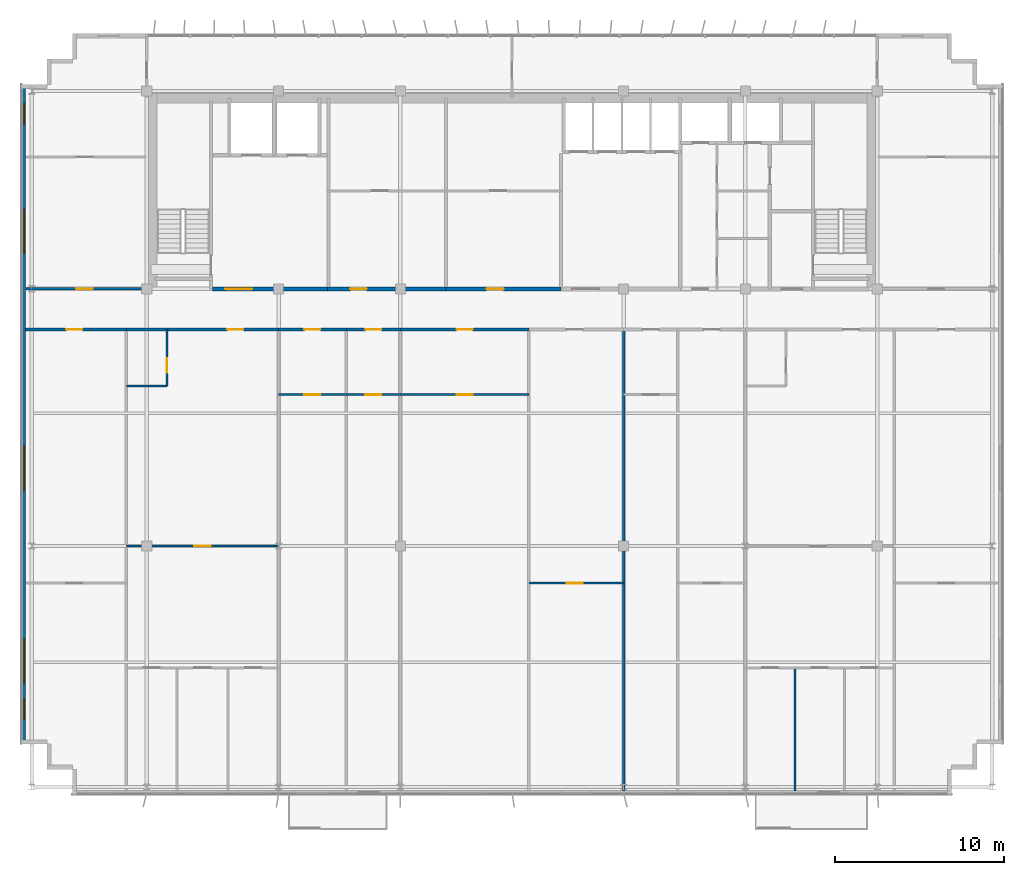
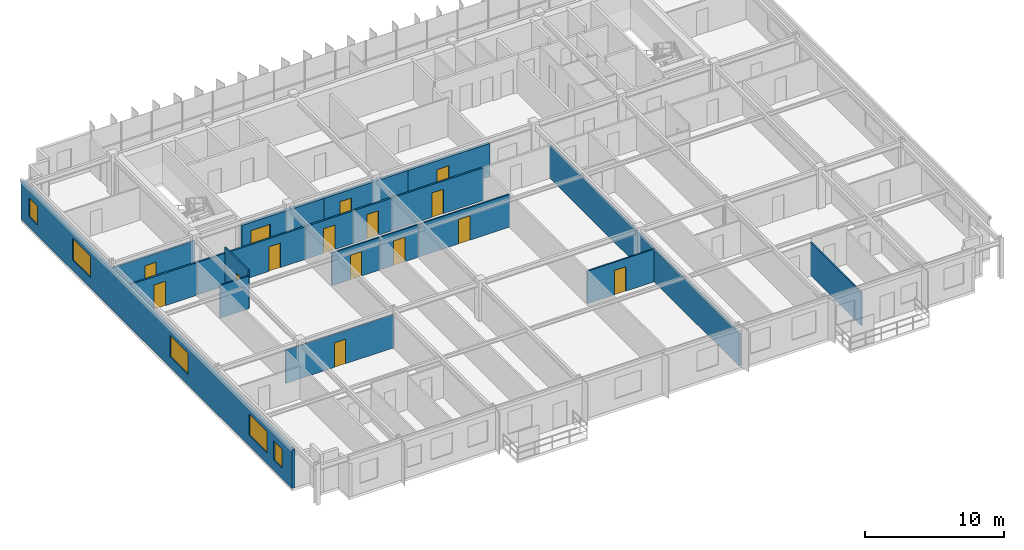
# One storey, part 17 of 22: 19 walls, 15 doors, 5 windows, 20 openings.
"""IFC4 building model written with IfcOpenShell, lengths in metres."""

from ifc_helpers import new_model, si_unit, direction, frame, frame_2d, origin, place, context, subcontext, project, spatial, rectangle, extrude, source, transform, mapped, material, layer, layer_set, type_object, element, fill, save


model = new_model("IFC4")

# Units and contexts
model_context = context("Model", 3, precision=1e-05, world=origin(), true_north=direction((0.0, 1.0)))
body_context = subcontext(model_context, "Body", "Model", "MODEL_VIEW")
ifc_project = project(units=[si_unit("LENGTHUNIT", "METRE"), si_unit("AREAUNIT", "SQUARE_METRE"), si_unit("VOLUMEUNIT", "CUBIC_METRE"), si_unit("PLANEANGLEUNIT", "RADIAN"), si_unit("MASSUNIT", "GRAM", prefix="KILO")], contexts=[model_context])

# Site, building, storey
site_placement = place(None, origin())
site = spatial("IfcSite", under=ifc_project, at=site_placement, CompositionType="ELEMENT")
building_placement = place(site_placement, origin())
building = spatial("IfcBuilding", under=site, at=building_placement, Name="Trelvane Seafront Commons", CompositionType="ELEMENT")
storey_placement = place(building_placement, frame((0.0, 0.0, 284.699951171875)))
storey = spatial("IfcBuildingStorey", under=building, at=storey_placement, Name="L74", CompositionType="ELEMENT", Elevation=284.699951171875)

# Wall, openings, windows
ifc_material_1 = material(Name="Precast concrete C40/50", Category="concrete")
ifc_layer_1 = layer(ifc_material_1, 0.239990234375, Name="ARCH-WALL-EXT240")
ifc_layer_set_1 = layer_set([ifc_layer_1], Name="Precast concrete C40/50")
wall_type_1 = type_object("IfcWallType", Name="ARCH-WALL-EXT240", PredefinedType="SOLIDWALL", material=ifc_layer_set_1)
wall_1_placement = place(storey_placement, frame((8.320068359375, 6.5, 0.0), z_axis=(0.0, 0.0, 1.0), x_axis=(0.0, 1.0, 0.0)))
wall_1 = element("IfcWall", 1, at=wall_1_placement, inside=storey, type_object=wall_type_1, Name="EW-L74-01492", PredefinedType="SOLIDWALL", context=body_context, shape_type="SweptSolid", body=[
    extrude(rectangle(XDim=39.0, YDim=0.239990234375, at=frame_2d((19.5, 0.0))), origin(), (0.0, 0.0, 1.0), 3.3701171875),
])
opening_1_placement = place(wall_1_placement, frame((1.449951171875, 0.0, 0.919921875)))
opening_1 = element("IfcOpeningElement", 2, at=opening_1_placement, cuts=wall_1, Name="Opening W05", PredefinedType="OPENING", context=body_context, shape_type="SweptSolid", body=[
    extrude(rectangle(XDim=1.199951171875, YDim=1.64990234375, at=frame_2d((0.60009765625, 0.824951171875))), frame((0.0, 0.1298828125, 0.0), z_axis=(0.0, -1.0, 0.0), x_axis=(1.0, 0.0, 0.0)), (0.0, 0.0, 1.0), 0.260009765625),
])
opening_2_placement = place(wall_1_placement, frame((3.60009765625, 0.0, 0.919921875)))
opening_2 = element("IfcOpeningElement", 3, at=opening_2_placement, cuts=wall_1, Name="Opening W04", PredefinedType="OPENING", context=body_context, shape_type="SweptSolid", body=[
    extrude(rectangle(XDim=2.60009765625, YDim=1.89990234375, at=frame_2d((1.300048828125, 0.949951171875))), frame((0.0, 0.1298828125, 0.0), z_axis=(0.0, -1.0, 0.0), x_axis=(1.0, 0.0, 0.0)), (0.0, 0.0, 1.0), 0.260009765625),
])
opening_3_placement = place(wall_1_placement, frame((15.0, 0.0, 0.919921875)))
opening_3 = element("IfcOpeningElement", 4, at=opening_3_placement, cuts=wall_1, Name="Opening W04", PredefinedType="OPENING", context=body_context, shape_type="SweptSolid", body=[
    extrude(rectangle(XDim=2.60009765625, YDim=1.89990234375, at=frame_2d((1.300048828125, 0.949951171875))), frame((0.0, 0.1298828125, 0.0), z_axis=(0.0, -1.0, 0.0), x_axis=(1.0, 0.0, 0.0)), (0.0, 0.0, 1.0), 0.260009765625),
])
opening_4_placement = place(wall_1_placement, frame((29.0, 0.0, 0.919921875)))
opening_4 = element("IfcOpeningElement", 5, at=opening_4_placement, cuts=wall_1, Name="Opening W04", PredefinedType="OPENING", context=body_context, shape_type="SweptSolid", body=[
    extrude(rectangle(XDim=2.60009765625, YDim=1.89990234375, at=frame_2d((1.300048828125, 0.949951171875))), frame((0.0, 0.1298828125, 0.0), z_axis=(0.0, -1.0, 0.0), x_axis=(1.0, 0.0, 0.0)), (0.0, 0.0, 1.0), 0.260009765625),
])
opening_5_placement = place(wall_1_placement, frame((36.64990234375, 0.0, 0.919921875)))
opening_5 = element("IfcOpeningElement", 6, at=opening_5_placement, cuts=wall_1, Name="Opening W05", PredefinedType="OPENING", context=body_context, shape_type="SweptSolid", body=[
    extrude(rectangle(XDim=1.199951171875, YDim=1.64990234375, at=frame_2d((0.60009765625, 0.824951171875))), frame((0.0, 0.1298828125, 0.0), z_axis=(0.0, -1.0, 0.0), x_axis=(1.0, 0.0, 0.0)), (0.0, 0.0, 1.0), 0.260009765625),
])
ifc_material_2 = material(Name="Low-E coastal double glazing", Category="glass")
window_type_1 = type_object("IfcWindowType", Name="ARCH-WIN-W04", PartitioningType="SINGLE_PANEL", PredefinedType="WINDOW", material=ifc_material_2)
shared_shape_1 = source(origin(), body_context, "Body", "SweptSolid", [
    extrude(rectangle(XDim=2.60009765625, YDim=1.89990234375, at=frame_2d((1.300048828125, 0.949951171875))), frame((0.0, 0.030029296875, 0.0), z_axis=(0.0, -1.0, 0.0), x_axis=(1.0, 0.0, 0.0)), (0.0, 0.0, 1.0), 0.06005859375),
])
window_1_placement = place(opening_2_placement, origin())
window_1 = element("IfcWindow", 7, at=window_1_placement, inside=storey, type_object=window_type_1, Name="WIN-L74-EW-01774", OverallHeight=1.89990234375, OverallWidth=2.60009765625, PartitioningType="SINGLE_PANEL", PredefinedType="WINDOW", context=body_context, shape_type="MappedRepresentation", body=[
    mapped(shared_shape_1, transform((0.0, 0.0, 0.0), x_axis=(1.0, 0.0, 0.0), y_axis=(0.0, 1.0, 0.0), z_axis=(0.0, 0.0, 1.0), scale=1.0)),
])
fill(opening_2, window_1)
window_2_placement = place(opening_3_placement, origin())
window_2 = element("IfcWindow", 8, at=window_2_placement, inside=storey, type_object=window_type_1, Name="WIN-L74-EW-01775", OverallHeight=1.89990234375, OverallWidth=2.60009765625, PartitioningType="SINGLE_PANEL", PredefinedType="WINDOW", context=body_context, shape_type="MappedRepresentation", body=[
    mapped(shared_shape_1, transform((0.0, 0.0, 0.0), x_axis=(1.0, 0.0, 0.0), y_axis=(0.0, 1.0, 0.0), z_axis=(0.0, 0.0, 1.0), scale=1.0)),
])
fill(opening_3, window_2)
window_3_placement = place(opening_4_placement, origin())
window_3 = element("IfcWindow", 9, at=window_3_placement, inside=storey, type_object=window_type_1, Name="WIN-L74-EW-01776", OverallHeight=1.89990234375, OverallWidth=2.60009765625, PartitioningType="SINGLE_PANEL", PredefinedType="WINDOW", context=body_context, shape_type="MappedRepresentation", body=[
    mapped(shared_shape_1, transform((0.0, 0.0, 0.0), x_axis=(1.0, 0.0, 0.0), y_axis=(0.0, 1.0, 0.0), z_axis=(0.0, 0.0, 1.0), scale=1.0)),
])
fill(opening_4, window_3)
window_type_2 = type_object("IfcWindowType", Name="ARCH-WIN-W05", PartitioningType="SINGLE_PANEL", PredefinedType="WINDOW", material=ifc_material_2)
shared_shape_2 = source(origin(), body_context, "Body", "SweptSolid", [
    extrude(rectangle(XDim=1.199951171875, YDim=1.64990234375, at=frame_2d((0.60009765625, 0.824951171875))), frame((0.0, 0.030029296875, 0.0), z_axis=(0.0, -1.0, 0.0), x_axis=(1.0, 0.0, 0.0)), (0.0, 0.0, 1.0), 0.06005859375),
])
window_4_placement = place(opening_1_placement, origin())
window_4 = element("IfcWindow", 10, at=window_4_placement, inside=storey, type_object=window_type_2, Name="WIN-L74-EW-01773", OverallHeight=1.64990234375, OverallWidth=1.199951171875, PartitioningType="SINGLE_PANEL", PredefinedType="WINDOW", context=body_context, shape_type="MappedRepresentation", body=[
    mapped(shared_shape_2, transform((0.0, 0.0, 0.0), x_axis=(1.0, 0.0, 0.0), y_axis=(0.0, 1.0, 0.0), z_axis=(0.0, 0.0, 1.0), scale=1.0)),
])
fill(opening_1, window_4)
window_5_placement = place(opening_5_placement, origin())
window_5 = element("IfcWindow", 11, at=window_5_placement, inside=storey, type_object=window_type_2, Name="WIN-L74-EW-01777", OverallHeight=1.64990234375, OverallWidth=1.199951171875, PartitioningType="SINGLE_PANEL", PredefinedType="WINDOW", context=body_context, shape_type="MappedRepresentation", body=[
    mapped(shared_shape_2, transform((0.0, 0.0, 0.0), x_axis=(1.0, 0.0, 0.0), y_axis=(0.0, 1.0, 0.0), z_axis=(0.0, 0.0, 1.0), scale=1.0)),
])
fill(opening_5, window_5)

# Wall, opening, door
ifc_material_3 = material(Name="Concrete C40/50", Category="concrete")
ifc_layer_2 = layer(ifc_material_3, 0.25, Name="ARCH-WALL-FIRE250")
ifc_layer_set_2 = layer_set([ifc_layer_2], Name="Concrete C40/50")
wall_type_2 = type_object("IfcWallType", Name="ARCH-WALL-FIRE250", PredefinedType="PARTITIONING", material=ifc_layer_set_2)
wall_2_placement = place(storey_placement, frame((19.5, 33.39990234375, 0.0), z_axis=(0.0, 0.0, 1.0), x_axis=(1.0, 0.0, 0.0)))
wall_2 = element("IfcWall", 12, at=wall_2_placement, inside=storey, type_object=wall_type_2, Name="W-L74-CS-FFL-013", PredefinedType="PARTITIONING", context=body_context, shape_type="SweptSolid", body=[
    extrude(rectangle(XDim=6.800048828125, YDim=0.25, at=frame_2d((3.39990234375, 0.0))), origin(), (0.0, 0.0, 1.0), 2.920166015625),
])
opening_6_placement = place(wall_2_placement, frame((0.75, 0.0, 0.0)))
opening_6 = element("IfcOpeningElement", 13, at=opening_6_placement, cuts=wall_2, Name="Opening FD-L74-05", PredefinedType="OPENING", context=body_context, shape_type="SweptSolid", body=[
    extrude(rectangle(XDim=1.60009765625, YDim=2.199951171875, at=frame_2d((0.800048828125, 1.10009765625))), frame((0.0, 0.135009765625, 0.0), z_axis=(0.0, -1.0, 0.0), x_axis=(1.0, 0.0, 0.0)), (0.0, 0.0, 1.0), 0.27001953125),
])
ifc_material_4 = material(Name="Powder-coated aluminium frame", Category="aluminium")
door_type_1 = type_object("IfcDoorType", Name="ARCH-DR-FD60-1600", OperationType="DOUBLE_DOOR_SINGLE_SWING", PredefinedType="DOOR", material=ifc_material_4)
shared_shape_3 = source(origin(), body_context, "Body", "SweptSolid", [
    extrude(rectangle(XDim=1.60009765625, YDim=2.199951171875, at=frame_2d((0.800048828125, 1.10009765625))), frame((0.0, 0.02490234375, 0.0), z_axis=(0.0, -1.0, 0.0), x_axis=(1.0, 0.0, 0.0)), (0.0, 0.0, 1.0), 0.050048828125),
])
door_1_placement = place(opening_6_placement, origin())
door_1 = element("IfcDoor", 14, at=door_1_placement, inside=storey, type_object=door_type_1, Name="L74 Firefighting Lift Lobby Double Fire Door", OperationType="DOUBLE_DOOR_SINGLE_SWING", OverallHeight=2.199951171875, OverallWidth=1.60009765625, PredefinedType="DOOR", context=body_context, shape_type="MappedRepresentation", body=[
    mapped(shared_shape_3, transform((0.0, 0.0, 0.0), x_axis=(1.0, 0.0, 0.0), y_axis=(0.0, 1.0, 0.0), z_axis=(0.0, 0.0, 1.0), scale=1.0)),
])
fill(opening_6, door_1)

wall_3_placement = place(storey_placement, frame((26.300048828125, 33.39990234375, 0.0), z_axis=(0.0, 0.0, 1.0), x_axis=(1.0, 0.0, 0.0)))
wall_3 = element("IfcWall", 15, at=wall_3_placement, inside=storey, type_object=wall_type_2, Name="W-L74-CS-FPL-024", PredefinedType="PARTITIONING", context=body_context, shape_type="SweptSolid", body=[
    extrude(rectangle(XDim=7.0, YDim=0.25, at=frame_2d((3.5, 0.0))), origin(), (0.0, 0.0, 1.0), 2.920166015625),
])
opening_7_placement = place(wall_3_placement, frame((1.35009765625, 0.0, 0.0)))
opening_7 = element("IfcOpeningElement", 16, at=opening_7_placement, cuts=wall_3, Name="Opening D-L74-12", PredefinedType="OPENING", context=body_context, shape_type="SweptSolid", body=[
    extrude(rectangle(XDim=0.949951171875, YDim=2.14990234375, at=frame_2d((0.47509765625, 1.074951171875))), frame((0.0, 0.135009765625, 0.0), z_axis=(0.0, -1.0, 0.0), x_axis=(1.0, 0.0, 0.0)), (0.0, 0.0, 1.0), 0.27001953125),
])
ifc_material_5 = material(Name="Acoustic timber door leaf", Category="wood")
door_type_2 = type_object("IfcDoorType", Name="ARCH-DR-INT950", OperationType="NOTDEFINED", PredefinedType="DOOR", material=ifc_material_5)
shared_shape_4 = source(origin(), body_context, "Body", "SweptSolid", [
    extrude(rectangle(XDim=0.949951171875, YDim=2.14990234375, at=frame_2d((0.47509765625, 1.074951171875))), frame((0.0, 0.02490234375, 0.0), z_axis=(0.0, -1.0, 0.0), x_axis=(1.0, 0.0, 0.0)), (0.0, 0.0, 1.0), 0.050048828125),
])
door_2_placement = place(opening_7_placement, origin())
door_2 = element("IfcDoor", 17, at=door_2_placement, inside=storey, type_object=door_type_2, Name="L74 Floor Pantry Entrance Door", OperationType="SINGLE_SWING_RIGHT", OverallHeight=2.14990234375, OverallWidth=0.949951171875, PredefinedType="DOOR", context=body_context, shape_type="MappedRepresentation", body=[
    mapped(shared_shape_4, transform((0.0, 0.0, 0.0), x_axis=(1.0, 0.0, 0.0), y_axis=(0.0, 1.0, 0.0), z_axis=(0.0, 0.0, 1.0), scale=1.0)),
])
fill(opening_7, door_2)

wall_4_placement = place(storey_placement, frame((33.300048828125, 33.39990234375, 0.0), z_axis=(0.0, 0.0, 1.0), x_axis=(1.0, 0.0, 0.0)))
wall_4 = element("IfcWall", 18, at=wall_4_placement, inside=storey, type_object=wall_type_2, Name="W-L74-CS-FPM-025", PredefinedType="PARTITIONING", context=body_context, shape_type="SweptSolid", body=[
    extrude(rectangle(XDim=6.800048828125, YDim=0.25, at=frame_2d((3.39990234375, 0.0))), origin(), (0.0, 0.0, 1.0), 2.920166015625),
])
opening_8_placement = place(wall_4_placement, frame((2.39990234375, 0.0, 0.0)))
opening_8 = element("IfcOpeningElement", 19, at=opening_8_placement, cuts=wall_4, Name="Opening FD-L74-13", PredefinedType="OPENING", context=body_context, shape_type="SweptSolid", body=[
    extrude(rectangle(XDim=1.0, YDim=2.14990234375, at=frame_2d((0.5, 1.074951171875))), frame((0.0, 0.135009765625, 0.0), z_axis=(0.0, -1.0, 0.0), x_axis=(1.0, 0.0, 0.0)), (0.0, 0.0, 1.0), 0.27001953125),
])
door_type_3 = type_object("IfcDoorType", Name="ARCH-DR-FD60-1000", OperationType="NOTDEFINED", PredefinedType="DOOR", material=ifc_material_4)
shared_shape_5 = source(origin(), body_context, "Body", "SweptSolid", [
    extrude(rectangle(XDim=1.0, YDim=2.14990234375, at=frame_2d((0.5, 1.074951171875))), frame((0.0, 0.02490234375, 0.0), z_axis=(0.0, -1.0, 0.0), x_axis=(1.0, 0.0, 0.0)), (0.0, 0.0, 1.0), 0.050048828125),
])
door_3_placement = place(opening_8_placement, origin())
door_3 = element("IfcDoor", 20, at=door_3_placement, inside=storey, type_object=door_type_3, Name="L74 Trunk Storage Door", OperationType="SINGLE_SWING_LEFT", OverallHeight=2.14990234375, OverallWidth=1.0, PredefinedType="DOOR", context=body_context, shape_type="MappedRepresentation", body=[
    mapped(shared_shape_5, transform((0.0, 0.0, 0.0), x_axis=(1.0, 0.0, 0.0), y_axis=(0.0, 1.0, 0.0), z_axis=(0.0, 0.0, 1.0), scale=1.0)),
])
fill(opening_8, door_3)

ifc_material_6 = material(Name="Gypsum Drywall Acoustic Partition")
ifc_layer_3 = layer(ifc_material_6, 0.1201171875, Name="ARCH-WALL-PART120")
ifc_layer_set_3 = layer_set([ifc_layer_3], Name="Gypsum Drywall Acoustic Partition")
wall_type_3 = type_object("IfcWallType", Name="ARCH-WALL-PART120", PredefinedType="PARTITIONING", material=ifc_layer_set_3)
wall_5_placement = place(storey_placement, frame((14.39990234375, 18.199951171875, 0.0), z_axis=(0.0, 0.0, 1.0), x_axis=(1.0, 0.0, 0.0)))
wall_5 = element("IfcWall", 21, at=wall_5_placement, inside=storey, type_object=wall_type_3, Name="W-L74-U2-KL-054", PredefinedType="PARTITIONING", context=body_context, shape_type="SweptSolid", body=[
    extrude(rectangle(XDim=9.0, YDim=0.1201171875, at=frame_2d((4.5, 0.0))), origin(), (0.0, 0.0, 1.0), 2.920166015625),
])
opening_9_placement = place(wall_5_placement, frame((4.02490234375, 0.0, 0.0)))
opening_9 = element("IfcOpeningElement", 22, at=opening_9_placement, cuts=wall_5, Name="Opening D-L74-32", PredefinedType="OPENING", context=body_context, shape_type="SweptSolid", body=[
    extrude(rectangle(XDim=0.949951171875, YDim=2.14990234375, at=frame_2d((0.47509765625, 1.074951171875))), frame((0.0, 0.070068359375, 0.0), z_axis=(0.0, -1.0, 0.0), x_axis=(1.0, 0.0, 0.0)), (0.0, 0.0, 1.0), 0.14013671875),
])
door_4_placement = place(opening_9_placement, origin())
door_4 = element("IfcDoor", 23, at=door_4_placement, inside=storey, type_object=door_type_2, Name="L74 Door 32", OperationType="SINGLE_SWING_RIGHT", OverallHeight=2.14990234375, OverallWidth=0.949951171875, PredefinedType="DOOR", context=body_context, shape_type="MappedRepresentation", body=[
    mapped(shared_shape_4, transform((0.0, 0.0, 0.0), x_axis=(1.0, 0.0, 0.0), y_axis=(0.0, 1.0, 0.0), z_axis=(0.0, 0.0, 1.0), scale=1.0)),
])
fill(opening_9, door_4)

wall_6_placement = place(storey_placement, frame((16.800048828125, 27.64990234375, 0.0), z_axis=(0.0, 0.0, 1.0), x_axis=(0.0, 1.0, 0.0)))
wall_6 = element("IfcWall", 24, at=wall_6_placement, inside=storey, type_object=wall_type_3, Name="W-L74-U2-BE-055", PredefinedType="PARTITIONING", context=body_context, shape_type="SweptSolid", body=[
    extrude(rectangle(XDim=3.35009765625, YDim=0.1201171875, at=frame_2d((1.675048828125, 0.0))), origin(), (0.0, 0.0, 1.0), 3.3701171875),
])
opening_10_placement = place(wall_6_placement, frame((0.800048828125, 0.0, 0.0)))
opening_10 = element("IfcOpeningElement", 25, at=opening_10_placement, cuts=wall_6, Name="Opening D-L74-33", PredefinedType="OPENING", context=body_context, shape_type="SweptSolid", body=[
    extrude(rectangle(XDim=0.85009765625, YDim=2.10009765625, at=frame_2d((0.425048828125, 1.050048828125))), frame((0.0, 0.070068359375, 0.0), z_axis=(0.0, -1.0, 0.0), x_axis=(1.0, 0.0, 0.0)), (0.0, 0.0, 1.0), 0.14013671875),
])
door_type_4 = type_object("IfcDoorType", Name="ARCH-DR-INT850", OperationType="NOTDEFINED", PredefinedType="DOOR", material=ifc_material_5)
shared_shape_6 = source(origin(), body_context, "Body", "SweptSolid", [
    extrude(rectangle(XDim=0.85009765625, YDim=2.10009765625, at=frame_2d((0.425048828125, 1.050048828125))), frame((0.0, 0.02490234375, 0.0), z_axis=(0.0, -1.0, 0.0), x_axis=(1.0, 0.0, 0.0)), (0.0, 0.0, 1.0), 0.050048828125),
])
door_5_placement = place(opening_10_placement, origin())
door_5 = element("IfcDoor", 26, at=door_5_placement, inside=storey, type_object=door_type_4, Name="L74 Door 33", OperationType="SINGLE_SWING_LEFT", OverallHeight=2.10009765625, OverallWidth=0.85009765625, PredefinedType="DOOR", context=body_context, shape_type="MappedRepresentation", body=[
    mapped(shared_shape_6, transform((0.0, 0.0, 0.0), x_axis=(1.0, 0.0, 0.0), y_axis=(0.0, 1.0, 0.0), z_axis=(0.0, 0.0, 1.0), scale=1.0)),
])
fill(opening_10, door_5)

# Wall
wall_7_placement = place(storey_placement, frame((14.39990234375, 27.64990234375, 0.0), z_axis=(0.0, 0.0, 1.0), x_axis=(1.0, 0.0, 0.0)))
element("IfcWall", 27, at=wall_7_placement, inside=storey, type_object=wall_type_3, Name="W-L74-U2-BS-056", PredefinedType="PARTITIONING", context=body_context, shape_type="SweptSolid", body=[
    extrude(rectangle(XDim=2.400146484375, YDim=0.1201171875, at=frame_2d((1.2001953125, 0.0))), origin(), (0.0, 0.0, 1.0), 2.8701171875),
])

# Wall, opening, door
wall_8_placement = place(storey_placement, frame((23.39990234375, 27.14990234375, 0.0), z_axis=(0.0, 0.0, 1.0), x_axis=(1.0, 0.0, 0.0)))
wall_8 = element("IfcWall", 28, at=wall_8_placement, inside=storey, type_object=wall_type_3, Name="W-L74-U3-DIV-064", PredefinedType="PARTITIONING", context=body_context, shape_type="SweptSolid", body=[
    extrude(rectangle(XDim=4.0, YDim=0.1201171875, at=frame_2d((2.0, 0.0))), origin(), (0.0, 0.0, 1.0), 2.8701171875),
])
opening_11_placement = place(wall_8_placement, frame((1.52490234375, 0.0, 0.0)))
opening_11 = element("IfcOpeningElement", 29, at=opening_11_placement, cuts=wall_8, Name="Opening D-L74-39", PredefinedType="OPENING", context=body_context, shape_type="SweptSolid", body=[
    extrude(rectangle(XDim=0.949951171875, YDim=2.14990234375, at=frame_2d((0.47509765625, 1.074951171875))), frame((0.0, 0.070068359375, 0.0), z_axis=(0.0, -1.0, 0.0), x_axis=(1.0, 0.0, 0.0)), (0.0, 0.0, 1.0), 0.14013671875),
])
door_6_placement = place(opening_11_placement, origin())
door_6 = element("IfcDoor", 30, at=door_6_placement, inside=storey, type_object=door_type_2, Name="L74 Door 39", OperationType="SINGLE_SWING_LEFT", OverallHeight=2.14990234375, OverallWidth=0.949951171875, PredefinedType="DOOR", context=body_context, shape_type="MappedRepresentation", body=[
    mapped(shared_shape_4, transform((0.0, 0.0, 0.0), x_axis=(1.0, 0.0, 0.0), y_axis=(0.0, 1.0, 0.0), z_axis=(0.0, 0.0, 1.0), scale=1.0)),
])
fill(opening_11, door_6)

wall_9_placement = place(storey_placement, frame((27.39990234375, 27.14990234375, 0.0), z_axis=(0.0, 0.0, 1.0), x_axis=(1.0, 0.0, 0.0)))
wall_9 = element("IfcWall", 31, at=wall_9_placement, inside=storey, type_object=wall_type_3, Name="W-L74-U4-DIV-066", PredefinedType="PARTITIONING", context=body_context, shape_type="SweptSolid", body=[
    extrude(rectangle(XDim=3.2001953125, YDim=0.1201171875, at=frame_2d((1.60009765625, 0.0))), origin(), (0.0, 0.0, 1.0), 2.8701171875),
])
opening_12_placement = place(wall_9_placement, frame((1.125, 0.0, 0.0)))
opening_12 = element("IfcOpeningElement", 32, at=opening_12_placement, cuts=wall_9, Name="Opening D-L74-41", PredefinedType="OPENING", context=body_context, shape_type="SweptSolid", body=[
    extrude(rectangle(XDim=0.949951171875, YDim=2.14990234375, at=frame_2d((0.47509765625, 1.074951171875))), frame((0.0, 0.070068359375, 0.0), z_axis=(0.0, -1.0, 0.0), x_axis=(1.0, 0.0, 0.0)), (0.0, 0.0, 1.0), 0.14013671875),
])
door_7_placement = place(opening_12_placement, origin())
door_7 = element("IfcDoor", 33, at=door_7_placement, inside=storey, type_object=door_type_2, Name="L74 Door 41", OperationType="SINGLE_SWING_LEFT", OverallHeight=2.14990234375, OverallWidth=0.949951171875, PredefinedType="DOOR", context=body_context, shape_type="MappedRepresentation", body=[
    mapped(shared_shape_4, transform((0.0, 0.0, 0.0), x_axis=(1.0, 0.0, 0.0), y_axis=(0.0, 1.0, 0.0), z_axis=(0.0, 0.0, 1.0), scale=1.0)),
])
fill(opening_12, door_7)

wall_10_placement = place(storey_placement, frame((30.60009765625, 27.14990234375, 0.0), z_axis=(0.0, 0.0, 1.0), x_axis=(1.0, 0.0, 0.0)))
wall_10 = element("IfcWall", 34, at=wall_10_placement, inside=storey, type_object=wall_type_3, Name="W-L74-U5-DIV-068", PredefinedType="PARTITIONING", context=body_context, shape_type="SweptSolid", body=[
    extrude(rectangle(XDim=7.599853515625, YDim=0.1201171875, at=frame_2d((3.7998046875, 0.0))), origin(), (0.0, 0.0, 1.0), 2.8701171875),
])
opening_13_placement = place(wall_10_placement, frame((3.324951171875, 0.0, 0.0)))
opening_13 = element("IfcOpeningElement", 35, at=opening_13_placement, cuts=wall_10, Name="Opening D-L74-43", PredefinedType="OPENING", context=body_context, shape_type="SweptSolid", body=[
    extrude(rectangle(XDim=0.949951171875, YDim=2.14990234375, at=frame_2d((0.47509765625, 1.074951171875))), frame((0.0, 0.070068359375, 0.0), z_axis=(0.0, -1.0, 0.0), x_axis=(1.0, 0.0, 0.0)), (0.0, 0.0, 1.0), 0.14013671875),
])
door_8_placement = place(opening_13_placement, origin())
door_8 = element("IfcDoor", 36, at=door_8_placement, inside=storey, type_object=door_type_2, Name="L74 Door 43", OperationType="SINGLE_SWING_LEFT", OverallHeight=2.14990234375, OverallWidth=0.949951171875, PredefinedType="DOOR", context=body_context, shape_type="MappedRepresentation", body=[
    mapped(shared_shape_4, transform((0.0, 0.0, 0.0), x_axis=(1.0, 0.0, 0.0), y_axis=(0.0, 1.0, 0.0), z_axis=(0.0, 0.0, 1.0), scale=1.0)),
])
fill(opening_13, door_8)

wall_11_placement = place(storey_placement, frame((38.199951171875, 16.0, 0.0), z_axis=(0.0, 0.0, 1.0), x_axis=(1.0, 0.0, 0.0)))
wall_11 = element("IfcWall", 37, at=wall_11_placement, inside=storey, type_object=wall_type_3, Name="W-L74-U6-DIV-070", PredefinedType="PARTITIONING", context=body_context, shape_type="SweptSolid", body=[
    extrude(rectangle(XDim=5.60009765625, YDim=0.1201171875, at=frame_2d((2.800048828125, 0.0))), origin(), (0.0, 0.0, 1.0), 2.8701171875),
])
opening_14_placement = place(wall_11_placement, frame((2.23193359375, 0.0, 0.0)))
opening_14 = element("IfcOpeningElement", 38, at=opening_14_placement, cuts=wall_11, Name="Opening D-L74-45", PredefinedType="OPENING", context=body_context, shape_type="SweptSolid", body=[
    extrude(rectangle(XDim=0.949951171875, YDim=2.14990234375, at=frame_2d((0.47509765625, 1.074951171875))), frame((0.0, 0.070068359375, 0.0), z_axis=(0.0, -1.0, 0.0), x_axis=(1.0, 0.0, 0.0)), (0.0, 0.0, 1.0), 0.14013671875),
])
door_9_placement = place(opening_14_placement, origin())
door_9 = element("IfcDoor", 39, at=door_9_placement, inside=storey, type_object=door_type_2, Name="L74 Door 45", OperationType="SINGLE_SWING_LEFT", OverallHeight=2.14990234375, OverallWidth=0.949951171875, PredefinedType="DOOR", context=body_context, shape_type="MappedRepresentation", body=[
    mapped(shared_shape_4, transform((0.0, 0.0, 0.0), x_axis=(1.0, 0.0, 0.0), y_axis=(0.0, 1.0, 0.0), z_axis=(0.0, 0.0, 1.0), scale=1.0)),
])
fill(opening_14, door_9)

# Wall
wall_12_placement = place(storey_placement, frame((53.93310546875, 3.72509765625, 0.0), z_axis=(0.0, 0.0, 1.0), x_axis=(0.0, 1.0, 0.0)))
element("IfcWall", 40, at=wall_12_placement, inside=storey, type_object=wall_type_3, Name="W-L74-U9-BDV-1-081", PredefinedType="PARTITIONING", context=body_context, shape_type="SweptSolid", body=[
    extrude(rectangle(XDim=7.27490234375, YDim=0.1201171875, at=frame_2d((3.637451171875, 0.0))), origin(), (0.0, 0.0, 1.0), 2.920166015625),
])

# Wall, opening, door
ifc_layer_4 = layer(ifc_material_6, 0.14990234375, Name="ARCH-WALL-PART150")
ifc_layer_set_4 = layer_set([ifc_layer_4], Name="Gypsum Drywall Acoustic Partition")
wall_type_4 = type_object("IfcWallType", Name="ARCH-WALL-PART150", PredefinedType="PARTITIONING", material=ifc_layer_set_4)
wall_13_placement = place(storey_placement, frame((8.449951171875, 33.39990234375, 0.0), z_axis=(0.0, 0.0, 1.0), x_axis=(1.0, 0.0, 0.0)))
wall_13 = element("IfcWall", 41, at=wall_13_placement, inside=storey, type_object=wall_type_4, Name="W-L74-NW-ENT-037", PredefinedType="PARTITIONING", context=body_context, shape_type="SweptSolid", body=[
    extrude(rectangle(XDim=7.150146484375, YDim=0.14990234375, at=frame_2d((3.5751953125, 0.0))), origin(), (0.0, 0.0, 1.0), 2.920166015625),
])
opening_15_placement = place(wall_13_placement, frame((3.0, 0.0, 0.0)))
opening_15 = element("IfcOpeningElement", 42, at=opening_15_placement, cuts=wall_13, Name="Opening FD-L74-24", PredefinedType="OPENING", context=body_context, shape_type="SweptSolid", body=[
    extrude(rectangle(XDim=0.949951171875, YDim=2.14990234375, at=frame_2d((0.47509765625, 1.074951171875))), frame((0.0, 0.0849609375, 0.0), z_axis=(0.0, -1.0, 0.0), x_axis=(1.0, 0.0, 0.0)), (0.0, 0.0, 1.0), 0.169921875),
])
door_type_5 = type_object("IfcDoorType", Name="ARCH-DR-FD60-950", OperationType="NOTDEFINED", PredefinedType="DOOR", material=ifc_material_4)
door_10_placement = place(opening_15_placement, origin())
door_10 = element("IfcDoor", 43, at=door_10_placement, inside=storey, type_object=door_type_5, Name="L74 NW Suite Entrance Door", OperationType="SINGLE_SWING_RIGHT", OverallHeight=2.14990234375, OverallWidth=0.949951171875, PredefinedType="DOOR", context=body_context, shape_type="MappedRepresentation", body=[
    mapped(shared_shape_4, transform((0.0, 0.0, 0.0), x_axis=(1.0, 0.0, 0.0), y_axis=(0.0, 1.0, 0.0), z_axis=(0.0, 0.0, 1.0), scale=1.0)),
])
fill(opening_15, door_10)

# Wall
wall_14_placement = place(storey_placement, frame((43.800048828125, 3.72509765625, 0.0), z_axis=(0.0, 0.0, 1.0), x_axis=(0.0, 1.0, 0.0)))
element("IfcWall", 44, at=wall_14_placement, inside=storey, type_object=wall_type_4, Name="W-L74-PW-6-048", PredefinedType="PARTITIONING", context=body_context, shape_type="SweptSolid", body=[
    extrude(rectangle(XDim=27.27490234375, YDim=0.14990234375, at=frame_2d((13.637451171875, 0.0))), origin(), (0.0, 0.0, 1.0), 2.8701171875),
])

# Wall, opening, door
wall_15_placement = place(storey_placement, frame((8.425048828125, 31.0, 0.0), z_axis=(0.0, 0.0, 1.0), x_axis=(1.0, 0.0, 0.0)))
wall_15 = element("IfcWall", 45, at=wall_15_placement, inside=storey, type_object=wall_type_4, Name="W-L74-CS-BAY-1-052", PredefinedType="PARTITIONING", context=body_context, shape_type="SweptSolid", body=[
    extrude(rectangle(XDim=5.974853515625, YDim=0.14990234375, at=frame_2d((2.9873046875, 0.0))), origin(), (0.0, 0.0, 1.0), 2.8701171875),
])
opening_16_placement = place(wall_15_placement, frame((2.419921875, 0.0, 0.0)))
opening_16 = element("IfcOpeningElement", 46, at=opening_16_placement, cuts=wall_15, Name="Opening FD-L74-30", PredefinedType="OPENING", context=body_context, shape_type="SweptSolid", body=[
    extrude(rectangle(XDim=0.949951171875, YDim=2.14990234375, at=frame_2d((0.47509765625, 1.074951171875))), frame((0.0, 0.0849609375, 0.0), z_axis=(0.0, -1.0, 0.0), x_axis=(1.0, 0.0, 0.0)), (0.0, 0.0, 1.0), 0.169921875),
])
door_11_placement = place(opening_16_placement, origin())
door_11 = element("IfcDoor", 47, at=door_11_placement, inside=storey, type_object=door_type_5, Name="L74 Bay 01 Entrance Door", OperationType="SINGLE_SWING_RIGHT", OverallHeight=2.14990234375, OverallWidth=0.949951171875, PredefinedType="DOOR", context=body_context, shape_type="MappedRepresentation", body=[
    mapped(shared_shape_4, transform((0.0, 0.0, 0.0), x_axis=(1.0, 0.0, 0.0), y_axis=(0.0, 1.0, 0.0), z_axis=(0.0, 0.0, 1.0), scale=1.0)),
])
fill(opening_16, door_11)

wall_16_placement = place(storey_placement, frame((14.39990234375, 31.0, 0.0), z_axis=(0.0, 0.0, 1.0), x_axis=(1.0, 0.0, 0.0)))
wall_16 = element("IfcWall", 48, at=wall_16_placement, inside=storey, type_object=wall_type_4, Name="W-L74-CS-BAY-2-057", PredefinedType="PARTITIONING", context=body_context, shape_type="SweptSolid", body=[
    extrude(rectangle(XDim=9.0, YDim=0.14990234375, at=frame_2d((4.5, 0.0))), origin(), (0.0, 0.0, 1.0), 2.8701171875),
])
opening_17_placement = place(wall_16_placement, frame((5.970947265625, 0.0, 0.0)))
opening_17 = element("IfcOpeningElement", 49, at=opening_17_placement, cuts=wall_16, Name="Opening FD-L74-34", PredefinedType="OPENING", context=body_context, shape_type="SweptSolid", body=[
    extrude(rectangle(XDim=0.949951171875, YDim=2.14990234375, at=frame_2d((0.47509765625, 1.074951171875))), frame((0.0, 0.0849609375, 0.0), z_axis=(0.0, -1.0, 0.0), x_axis=(1.0, 0.0, 0.0)), (0.0, 0.0, 1.0), 0.169921875),
])
door_12_placement = place(opening_17_placement, origin())
door_12 = element("IfcDoor", 50, at=door_12_placement, inside=storey, type_object=door_type_5, Name="L74 Unit 02 Entrance Door", OperationType="SINGLE_SWING_RIGHT", OverallHeight=2.14990234375, OverallWidth=0.949951171875, PredefinedType="DOOR", context=body_context, shape_type="MappedRepresentation", body=[
    mapped(shared_shape_4, transform((0.0, 0.0, 0.0), x_axis=(1.0, 0.0, 0.0), y_axis=(0.0, 1.0, 0.0), z_axis=(0.0, 0.0, 1.0), scale=1.0)),
])
fill(opening_17, door_12)

wall_17_placement = place(storey_placement, frame((23.39990234375, 31.0, 0.0), z_axis=(0.0, 0.0, 1.0), x_axis=(1.0, 0.0, 0.0)))
wall_17 = element("IfcWall", 51, at=wall_17_placement, inside=storey, type_object=wall_type_4, Name="W-L74-CS-BAY-3-063", PredefinedType="PARTITIONING", context=body_context, shape_type="SweptSolid", body=[
    extrude(rectangle(XDim=4.0, YDim=0.14990234375, at=frame_2d((2.0, 0.0))), origin(), (0.0, 0.0, 1.0), 2.8701171875),
])
opening_18_placement = place(wall_17_placement, frame((1.52490234375, 0.0, 0.0)))
opening_18 = element("IfcOpeningElement", 52, at=opening_18_placement, cuts=wall_17, Name="Opening FD-L74-38", PredefinedType="OPENING", context=body_context, shape_type="SweptSolid", body=[
    extrude(rectangle(XDim=0.949951171875, YDim=2.14990234375, at=frame_2d((0.47509765625, 1.074951171875))), frame((0.0, 0.0849609375, 0.0), z_axis=(0.0, -1.0, 0.0), x_axis=(1.0, 0.0, 0.0)), (0.0, 0.0, 1.0), 0.169921875),
])
door_13_placement = place(opening_18_placement, origin())
door_13 = element("IfcDoor", 53, at=door_13_placement, inside=storey, type_object=door_type_5, Name="L74 Bay 03 Entrance Door", OperationType="SINGLE_SWING_RIGHT", OverallHeight=2.14990234375, OverallWidth=0.949951171875, PredefinedType="DOOR", context=body_context, shape_type="MappedRepresentation", body=[
    mapped(shared_shape_4, transform((0.0, 0.0, 0.0), x_axis=(1.0, 0.0, 0.0), y_axis=(0.0, 1.0, 0.0), z_axis=(0.0, 0.0, 1.0), scale=1.0)),
])
fill(opening_18, door_13)

wall_18_placement = place(storey_placement, frame((27.39990234375, 31.0, 0.0), z_axis=(0.0, 0.0, 1.0), x_axis=(1.0, 0.0, 0.0)))
wall_18 = element("IfcWall", 54, at=wall_18_placement, inside=storey, type_object=wall_type_4, Name="W-L74-CS-BAY-4-065", PredefinedType="PARTITIONING", context=body_context, shape_type="SweptSolid", body=[
    extrude(rectangle(XDim=3.2001953125, YDim=0.14990234375, at=frame_2d((1.60009765625, 0.0))), origin(), (0.0, 0.0, 1.0), 2.8701171875),
])
opening_19_placement = place(wall_18_placement, frame((1.125, 0.0, 0.0)))
opening_19 = element("IfcOpeningElement", 55, at=opening_19_placement, cuts=wall_18, Name="Opening FD-L74-40", PredefinedType="OPENING", context=body_context, shape_type="SweptSolid", body=[
    extrude(rectangle(XDim=0.949951171875, YDim=2.14990234375, at=frame_2d((0.47509765625, 1.074951171875))), frame((0.0, 0.0849609375, 0.0), z_axis=(0.0, -1.0, 0.0), x_axis=(1.0, 0.0, 0.0)), (0.0, 0.0, 1.0), 0.169921875),
])
door_14_placement = place(opening_19_placement, origin())
door_14 = element("IfcDoor", 56, at=door_14_placement, inside=storey, type_object=door_type_5, Name="L74 Bay 04 Entrance Door", OperationType="SINGLE_SWING_RIGHT", OverallHeight=2.14990234375, OverallWidth=0.949951171875, PredefinedType="DOOR", context=body_context, shape_type="MappedRepresentation", body=[
    mapped(shared_shape_4, transform((0.0, 0.0, 0.0), x_axis=(1.0, 0.0, 0.0), y_axis=(0.0, 1.0, 0.0), z_axis=(0.0, 0.0, 1.0), scale=1.0)),
])
fill(opening_19, door_14)

wall_19_placement = place(storey_placement, frame((30.60009765625, 31.0, 0.0), z_axis=(0.0, 0.0, 1.0), x_axis=(1.0, 0.0, 0.0)))
wall_19 = element("IfcWall", 57, at=wall_19_placement, inside=storey, type_object=wall_type_4, Name="W-L74-CS-BAY-5-067", PredefinedType="PARTITIONING", context=body_context, shape_type="SweptSolid", body=[
    extrude(rectangle(XDim=7.599853515625, YDim=0.14990234375, at=frame_2d((3.7998046875, 0.0))), origin(), (0.0, 0.0, 1.0), 2.8701171875),
])
opening_20_placement = place(wall_19_placement, frame((3.324951171875, 0.0, 0.0)))
opening_20 = element("IfcOpeningElement", 58, at=opening_20_placement, cuts=wall_19, Name="Opening FD-L74-42", PredefinedType="OPENING", context=body_context, shape_type="SweptSolid", body=[
    extrude(rectangle(XDim=0.949951171875, YDim=2.14990234375, at=frame_2d((0.47509765625, 1.074951171875))), frame((0.0, 0.0849609375, 0.0), z_axis=(0.0, -1.0, 0.0), x_axis=(1.0, 0.0, 0.0)), (0.0, 0.0, 1.0), 0.169921875),
])
door_15_placement = place(opening_20_placement, origin())
door_15 = element("IfcDoor", 59, at=door_15_placement, inside=storey, type_object=door_type_5, Name="L74 Bay 05 Entrance Door", OperationType="SINGLE_SWING_RIGHT", OverallHeight=2.14990234375, OverallWidth=0.949951171875, PredefinedType="DOOR", context=body_context, shape_type="MappedRepresentation", body=[
    mapped(shared_shape_4, transform((0.0, 0.0, 0.0), x_axis=(1.0, 0.0, 0.0), y_axis=(0.0, 1.0, 0.0), z_axis=(0.0, 0.0, 1.0), scale=1.0)),
])
fill(opening_20, door_15)

save(model, "model.ifc")
